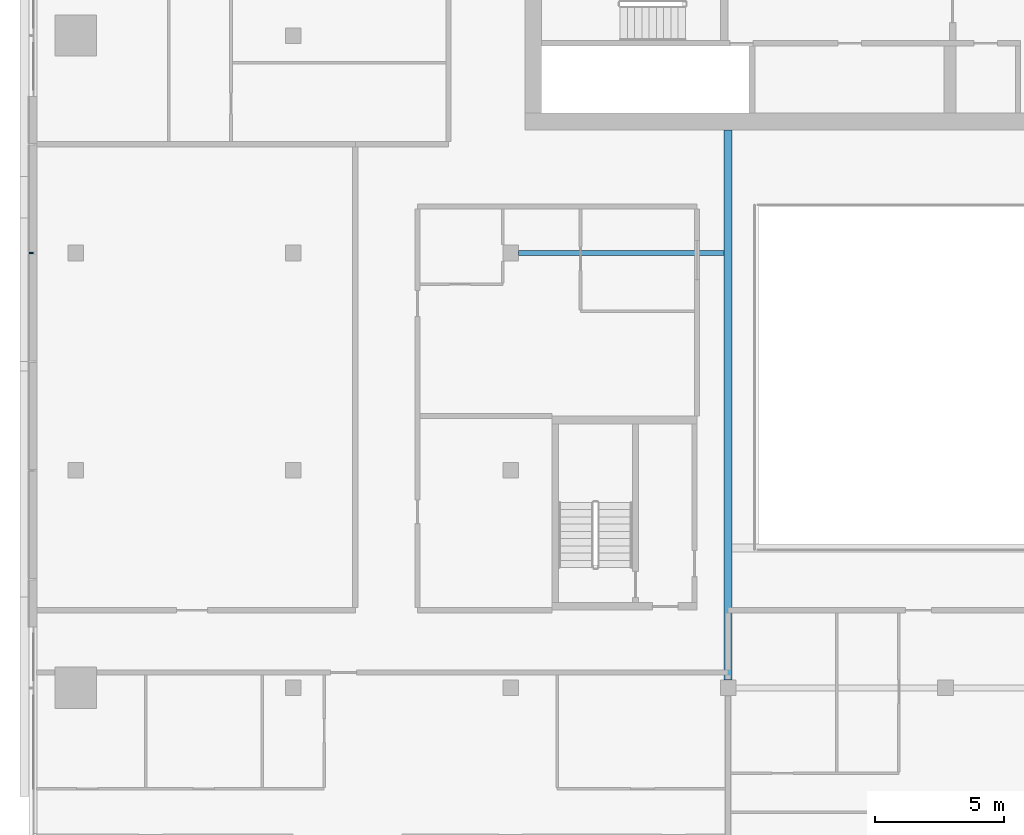
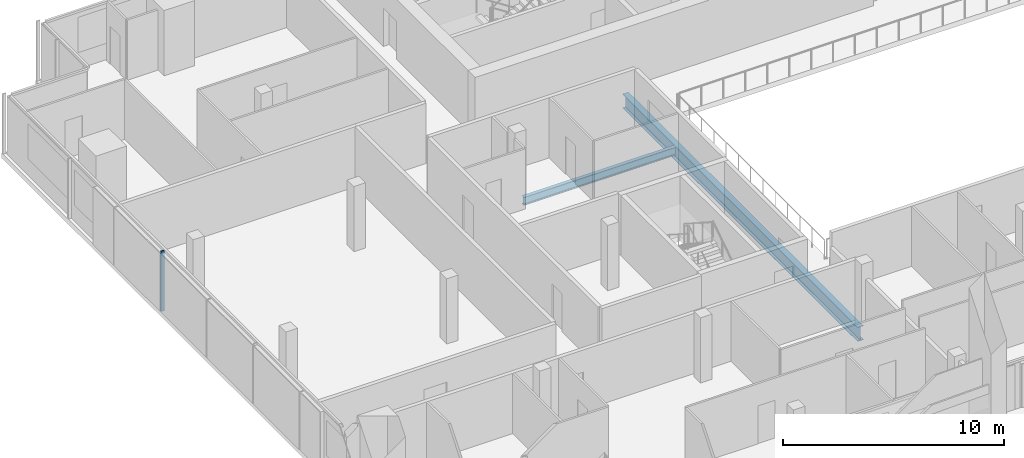
# One storey, part 6 of 31: 2 beams, 1 member, 1 element without a shape of its own.
"""IFC4 building model written with IfcOpenShell, lengths in metres."""

from ifc_helpers import new_model, si_unit, direction, frame, origin, origin_2d, place, context, subcontext, project, spatial, rectangle, i_section, extrude, material, material_profile, profile_set, type_object, element, aggregate, save


model = new_model("IFC4")

# Units and contexts
model_context = context("Model", 3, precision=1e-05, world=origin(), true_north=direction((0.0, 1.0)))
body_context = subcontext(model_context, "Body", "Model", "MODEL_VIEW")
ifc_project = project(units=[si_unit("LENGTHUNIT", "METRE"), si_unit("AREAUNIT", "SQUARE_METRE"), si_unit("VOLUMEUNIT", "CUBIC_METRE"), si_unit("PLANEANGLEUNIT", "RADIAN"), si_unit("MASSUNIT", "GRAM", prefix="KILO")], contexts=[model_context])

# Site, building, storey
site_placement = place(None, origin())
site = spatial("IfcSite", under=ifc_project, at=site_placement, CompositionType="ELEMENT")
building_placement = place(site_placement, origin())
building = spatial("IfcBuilding", under=site, at=building_placement, Name="Saffron Gate Tower", CompositionType="ELEMENT")
storey_placement = place(building_placement, frame((0.0, 0.0, 205.5)))
storey = spatial("IfcBuildingStorey", under=building, at=storey_placement, Name="L49", CompositionType="ELEMENT", Elevation=205.5)

# Beams
ifc_material_1 = material(Name="Structural steel S355", Category="steel")
ifc_material_profile_1 = material_profile(ifc_material_1, i_section(OverallWidth=0.300048828125, OverallDepth=0.7900390625, WebThickness=0.014892578125, FlangeThickness=0.028076171875, FilletRadius=0.030029296875, at=origin_2d()))
ifc_profile_set_1 = profile_set([ifc_material_profile_1], Name="Structural steel S355")
beam_type_1 = type_object("IfcBeamType", Name="B18 HEA 800", PredefinedType="BEAM", material=ifc_profile_set_1)
beam_1_placement = place(storey_placement, frame((75.0, 40.5, -0.675048828125), z_axis=(0.0, 1.0, 0.0), x_axis=(-1.0, 0.0, 0.0)))
element("IfcBeam", 1, at=beam_1_placement, inside=storey, type_object=beam_type_1, Name="B18 ATRIUM GIRDER", PredefinedType="BEAM", context=body_context, shape_type="SweptSolid", body=[
    extrude(i_section(OverallWidth=0.300048828125, OverallDepth=0.7900390625, WebThickness=0.014892578125, FlangeThickness=0.028076171875, FilletRadius=0.030029296875, at=origin_2d()), origin(), (0.0, 0.0, 1.0), 21.25),
])
ifc_material_profile_2 = material_profile(ifc_material_1, i_section(OverallWidth=0.18994140625, OverallDepth=0.449951171875, WebThickness=0.009521484375, FlangeThickness=0.0146484375, FilletRadius=0.02099609375, at=origin_2d()))
ifc_profile_set_2 = profile_set([ifc_material_profile_2], Name="Structural steel S355")
beam_type_2 = type_object("IfcBeamType", Name="B6 IPE 450", PredefinedType="BEAM", material=ifc_profile_set_2)
beam_2_placement = place(storey_placement, frame((66.89990234375, 57.0, -0.5048828125), z_axis=(1.0, 0.0, 0.0), x_axis=(0.0, 1.0, 0.0)))
element("IfcBeam", 2, at=beam_2_placement, inside=storey, type_object=beam_type_2, Name="B6 CORE TIE BEAM", PredefinedType="BEAM", context=body_context, shape_type="SweptSolid", body=[
    extrude(i_section(OverallWidth=0.18994140625, OverallDepth=0.449951171875, WebThickness=0.009521484375, FlangeThickness=0.0146484375, FilletRadius=0.02099609375, at=origin_2d()), origin(), (0.0, 0.0, 1.0), 7.9501953125),
])

# Curtain wall, member
ifc_material_2 = material(Name="Aluminium, bronze anodised", Category="aluminium")
curtain_wall_type = type_object("IfcCurtainWallType", Name="CWS2 curtain wall side facades", PredefinedType="NOTDEFINED", material=ifc_material_2)
curtain_wall_placement = place(storey_placement, origin())
curtain_wall = element("IfcCurtainWall", 3, at=curtain_wall_placement, inside=storey, type_object=curtain_wall_type, Name="CWS2 run 10", PredefinedType="NOTDEFINED")
ifc_material_profile_3 = material_profile(ifc_material_2, rectangle(XDim=0.159912109375, YDim=0.06005859375, at=origin_2d()))
ifc_profile_set_3 = profile_set([ifc_material_profile_3], Name="Aluminium, bronze anodised")
member_type = type_object("IfcMemberType", Name="CWS2 mullion 60x160", PredefinedType="MULLION", material=ifc_profile_set_3)
member_placement = place(storey_placement, frame((48.080078125, 57.0, 0.0), z_axis=(0.0, 0.0, 1.0), x_axis=(1.0, 0.0, 0.0)))
member = element("IfcMember", 4, at=member_placement, type_object=member_type, Name="CWS2 mullion 3", PredefinedType="MULLION", context=body_context, shape_type="SweptSolid", body=[
    extrude(rectangle(XDim=0.159912109375, YDim=0.06005859375, at=origin_2d()), origin(), (0.0, 0.0, 1.0), 3.320068359375),
])
aggregate(curtain_wall, [member])

save(model, "model.ifc")
